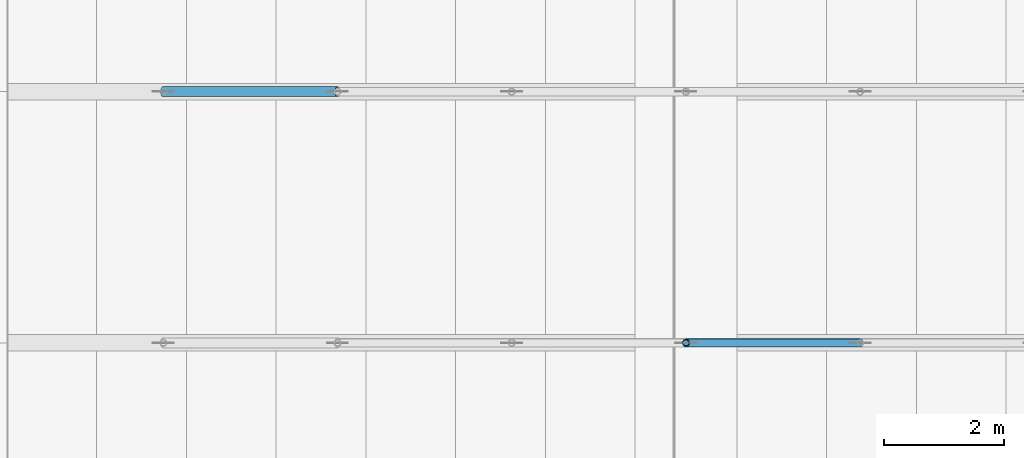
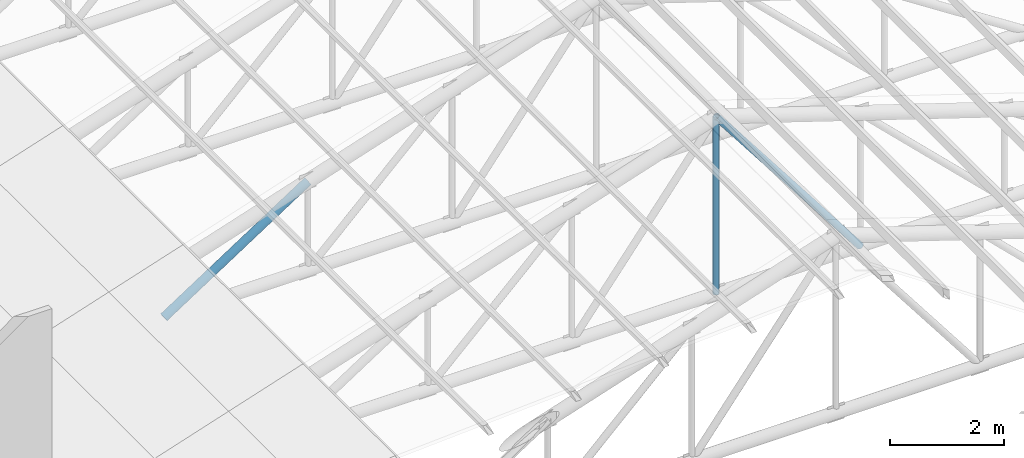
# One storey, part 18 of 95: 3 members.
"""IFC4 building model written with IfcOpenShell, lengths in metres."""

from ifc_helpers import new_model, si_unit, direction, frame, origin, origin_2d, place, context, subcontext, project, spatial, hollow_circle, extrude, material, material_profile, profile_set, type_object, element, save


model = new_model("IFC4")

# Units and contexts
model_context = context("Model", 3, precision=1e-05, world=origin(), true_north=direction((0.0, 1.0)))
body_context = subcontext(model_context, "Body", "Model", "MODEL_VIEW")
ifc_project = project(units=[si_unit("LENGTHUNIT", "METRE"), si_unit("AREAUNIT", "SQUARE_METRE"), si_unit("VOLUMEUNIT", "CUBIC_METRE"), si_unit("PLANEANGLEUNIT", "RADIAN"), si_unit("MASSUNIT", "GRAM", prefix="KILO")], contexts=[model_context])

# Site, building, storey
site_placement = place(None, origin())
site = spatial("IfcSite", under=ifc_project, at=site_placement, CompositionType="ELEMENT")
building_placement = place(site_placement, origin())
building = spatial("IfcBuilding", under=site, at=building_placement, Name="Kiln Court Media Centre", CompositionType="ELEMENT")
storey_placement = place(building_placement, frame((0.0, 0.0, 24.60009765625)))
storey = spatial("IfcBuildingStorey", under=building, at=storey_placement, Name="L05", CompositionType="ELEMENT", Elevation=24.60009765625)

# Members
ifc_material_1 = material(Name="Steel ASTM A500 Gr C", Category="steel")
ifc_material_profile_1 = material_profile(ifc_material_1, hollow_circle(Radius=0.05712890625, WallThickness=0.0048828125, at=origin_2d()), Name="CHS 114.3x5.0")
ifc_profile_set_1 = profile_set([ifc_material_profile_1], Name="Steel ASTM A500 Gr C")
member_type_1 = type_object("IfcMemberType", Name="Steel ASTM A500 Gr C CHS 114.3x5.0 truss web", PredefinedType="BRACE", material=ifc_profile_set_1)
member_1_placement = place(storey_placement, frame((46.39990234375, 37.800048828125, -0.013916015625), z_axis=(0.0, 0.0, 1.0), x_axis=(1.0, 0.0, 0.0)))
element("IfcMember", 1, at=member_1_placement, inside=storey, type_object=member_type_1, Name="foyer truss FT-04 post 4 truss web", PredefinedType="BRACE", context=body_context, shape_type="SweptSolid", body=[
    extrude(hollow_circle(Radius=0.05712890625, WallThickness=0.0048828125, at=origin_2d()), origin(), (0.0, 0.0, 1.0), 3.785400390625),
])
ifc_material_2 = material(Name="Steel ASTM A500 Gr C", Category="steel")
ifc_material_profile_2 = material_profile(ifc_material_2, hollow_circle(Radius=0.06982421875, WallThickness=0.0048828125, at=origin_2d()), Name="CHS 139.7x5.0")
ifc_profile_set_2 = profile_set([ifc_material_profile_2], Name="Steel ASTM A500 Gr C")
member_type_2 = type_object("IfcMemberType", Name="Steel ASTM A500 Gr C CHS 139.7x5.0 truss web", PredefinedType="BRACE", material=ifc_profile_set_2)
member_2_placement = place(storey_placement, frame((46.39990234375, 37.800048828125, 3.771484375), z_axis=(0.609809567012, 0.0, -0.792547974561), x_axis=(0.0, 1.0, 0.0)))
element("IfcMember", 2, at=member_2_placement, inside=storey, type_object=member_type_2, Name="foyer truss FT-04 diagonal 5 truss web", PredefinedType="BRACE", context=body_context, shape_type="SweptSolid", body=[
    extrude(hollow_circle(Radius=0.06982421875, WallThickness=0.0048828125, at=origin_2d()), origin(), (0.0, 0.0, 1.0), 4.776123046875),
])
ifc_material_3 = material(Name="Steel ASTM A500 Gr C", Category="steel")
ifc_material_profile_3 = material_profile(ifc_material_3, hollow_circle(Radius=0.084228515625, WallThickness=0.00634765625, at=origin_2d()), Name="CHS 168.3x6.3")
ifc_profile_set_3 = profile_set([ifc_material_profile_3], Name="Steel ASTM A500 Gr C")
member_type_3 = type_object("IfcMemberType", Name="Steel ASTM A500 Gr C CHS 168.3x6.3 truss web", PredefinedType="BRACE", material=ifc_profile_set_3)
member_3_placement = place(storey_placement, frame((37.66259765625, 42.0, -0.013916015625), z_axis=(0.838470915332, 0.0, 0.544946349784), x_axis=(0.0, 1.0, 0.0)))
element("IfcMember", 3, at=member_3_placement, inside=storey, type_object=member_type_3, Name="foyer truss FT-05 diagonal 2 truss web", PredefinedType="BRACE", context=body_context, shape_type="SweptSolid", body=[
    extrude(hollow_circle(Radius=0.084228515625, WallThickness=0.00634765625, at=origin_2d()), origin(), (0.0, 0.0, 1.0), 3.473388671875),
])

save(model, "model.ifc")
